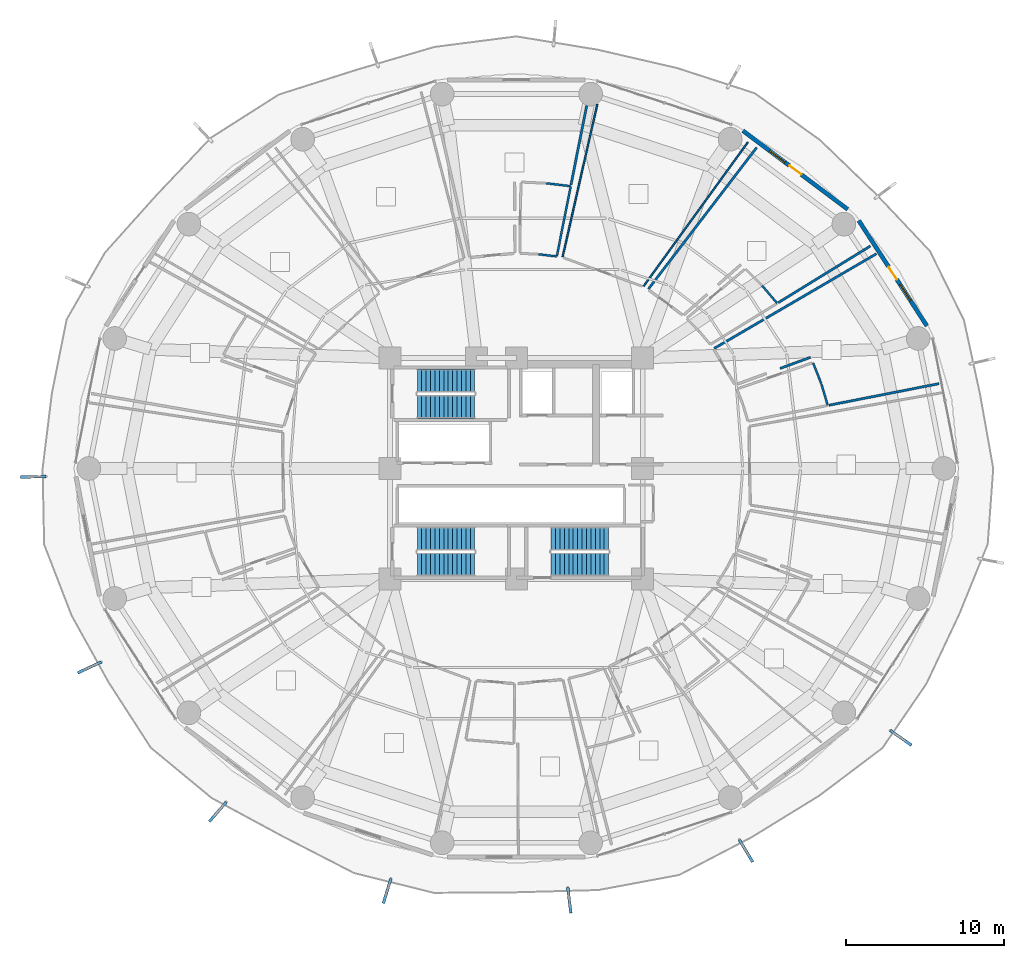
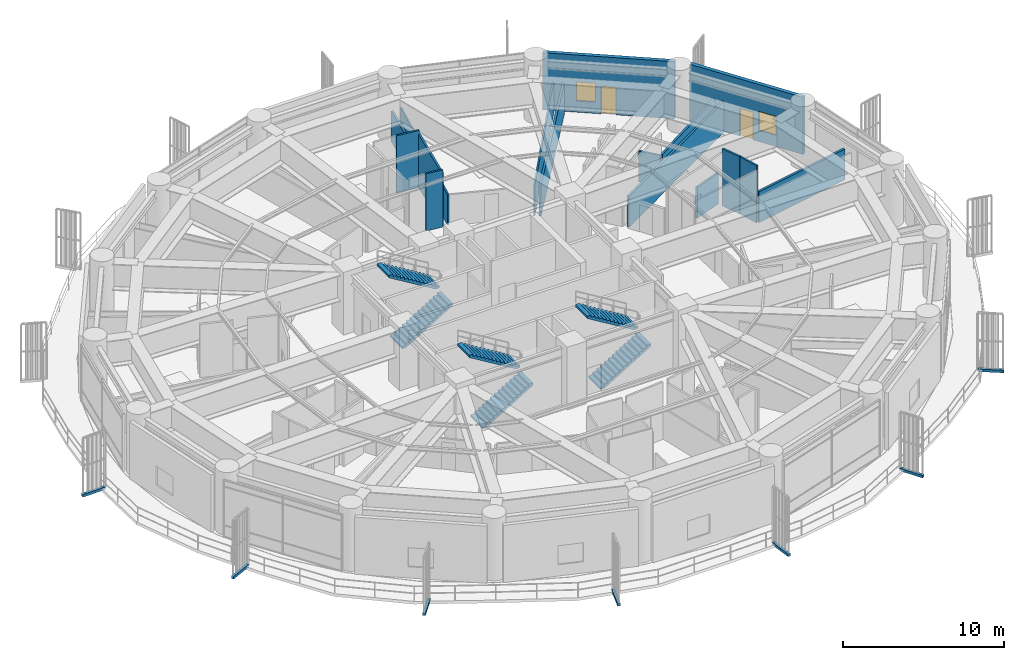
# One storey, part 25 of 31: 16 walls, 7 discrete accessories, 6 stair flights, 2 doors, 2 windows, 4 openings, 3 elements without a shape of their own.
"""IFC4 building model written with IfcOpenShell, lengths in metres."""

from ifc_helpers import new_model, si_unit, direction, frame, frame_2d, origin, origin_2d, place, context, subcontext, project, spatial, polyline, rectangle, outline, extrude, source, transform, mapped, material, layer, layer_set, type_object, element, fill, aggregate, save


model = new_model("IFC4")

# Units and contexts
model_context = context("Model", 3, precision=1e-05, world=origin(), true_north=direction((0.0, 1.0)))
body_context = subcontext(model_context, "Body", "Model", "MODEL_VIEW")
ifc_project = project(units=[si_unit("LENGTHUNIT", "METRE"), si_unit("AREAUNIT", "SQUARE_METRE"), si_unit("VOLUMEUNIT", "CUBIC_METRE"), si_unit("PLANEANGLEUNIT", "RADIAN"), si_unit("MASSUNIT", "GRAM", prefix="KILO")], contexts=[model_context])

# Site, building, storey
site_placement = place(None, origin())
site = spatial("IfcSite", under=ifc_project, at=site_placement, CompositionType="ELEMENT")
building_placement = place(site_placement, origin())
building = spatial("IfcBuilding", under=site, at=building_placement, Name="Kelanora Arch Commons", CompositionType="ELEMENT")
storey_placement = place(building_placement, frame((0.0, 0.0, 67.5)))
storey = spatial("IfcBuildingStorey", under=building, at=storey_placement, Name="L17", CompositionType="ELEMENT", Elevation=67.5)

# Walls
ifc_material_1 = material(Name="Autoclaved aerated concrete blockwork with fire plaster", Category="masonry")
ifc_layer_1 = layer(ifc_material_1, 0.14990234375)
ifc_layer_set_1 = layer_set([ifc_layer_1], Name="Autoclaved aerated concrete blockwork with fire plaster")
wall_type_1 = type_object("IfcWallType", Name="W-COMP-150", PredefinedType="PARTITIONING", material=ifc_layer_set_1)
wall_1_placement = place(storey_placement, frame((86.5244140625, 65.602294921875, 0.0), z_axis=(0.0, 0.0, 1.0), x_axis=(0.863734985538, 0.503946301462, 0.0)))
element("IfcWall", 1, at=wall_1_placement, inside=storey, type_object=wall_type_1, Name="Co-Living Studio L17-01 Enclosure Partition 2", PredefinedType="PARTITIONING", context=body_context, shape_type="SweptSolid", body=[
    extrude(rectangle(XDim=11.897216796875, YDim=0.14990234375, at=frame_2d((5.94873046875, 0.0))), origin(), (0.0, 0.0, 1.0), 2.344970703125),
])
wall_2_placement = place(storey_placement, frame((100.768798828125, 63.374267578125, 0.0), z_axis=(0.0, 0.0, 1.0), x_axis=(-0.98124289703, -0.192775457535, 0.0)))
element("IfcWall", 2, at=wall_2_placement, inside=storey, type_object=wall_type_1, Name="Co-Living Studio L17-01 Enclosure Partition 5", PredefinedType="PARTITIONING", context=body_context, shape_type="SweptSolid", body=[
    extrude(rectangle(XDim=7.099609375, YDim=0.14990234375, at=frame_2d((3.5498046875, 0.0))), origin(), (0.0, 0.0, 1.0), 2.344970703125),
])
wall_3_placement = place(storey_placement, frame((92.633544921875, 65.044189453125, 0.0), z_axis=(0.0, 0.0, 1.0), x_axis=(-0.938773982481, -0.344533612028, 0.0)))
element("IfcWall", 3, at=wall_3_placement, inside=storey, type_object=wall_type_1, Name="Co-Living Studio L17-01 Enclosure Partition 7", PredefinedType="PARTITIONING", context=body_context, shape_type="SweptSolid", body=[
    extrude(rectangle(XDim=2.05712890625, YDim=0.14990234375, at=frame_2d((1.028564453125, 0.0))), origin(), (0.0, 0.0, 1.0), 2.344970703125),
])
wall_4_placement = place(storey_placement, frame((82.36328125, 69.371826171875, 0.0), z_axis=(0.0, 0.0, 1.0), x_axis=(0.607772837178, 0.79411093582, 0.0)))
element("IfcWall", 4, at=wall_4_placement, inside=storey, type_object=wall_type_1, Name="Co-Living Studio L17-02 Enclosure Partition 2", PredefinedType="PARTITIONING", context=body_context, shape_type="SweptSolid", body=[
    extrude(rectangle(XDim=11.2861328125, YDim=0.14990234375, at=frame_2d((5.64306640625, 0.0))), origin(), (0.0, 0.0, 1.0), 2.344970703125),
])
wall_5_placement = place(storey_placement, frame((96.4208984375, 72.090087890625, 0.0), z_axis=(0.0, 0.0, 1.0), x_axis=(-0.85189211047, -0.523717320813, 0.0)))
element("IfcWall", 5, at=wall_5_placement, inside=storey, type_object=wall_type_1, Name="Co-Living Studio L17-02 Enclosure Partition 5", PredefinedType="PARTITIONING", context=body_context, shape_type="SweptSolid", body=[
    extrude(rectangle(XDim=6.845703125, YDim=0.14990234375, at=frame_2d((3.4228515625, 0.0))), origin(), (0.0, 0.0, 1.0), 2.344970703125),
])
wall_6_placement = place(storey_placement, frame((78.45068359375, 80.981201171875, 0.0), z_axis=(0.0, 0.0, 1.0), x_axis=(-0.194400268676, -0.980922288226, 0.0)))
element("IfcWall", 6, at=wall_6_placement, inside=storey, type_object=wall_type_1, Name="Co-Living Studio L17-04 Enclosure Partition 5", PredefinedType="PARTITIONING", context=body_context, shape_type="SweptSolid", body=[
    extrude(rectangle(XDim=5.11767578125, YDim=0.14990234375, at=frame_2d((2.558837890625, 0.0))), origin(), (0.0, 0.0, 1.0), 2.344970703125),
])

# Wall, openings, door, window
ifc_material_2 = material(Name="Precast concrete C40/50 with terracotta rainscreen", Category="masonry")
ifc_layer_2 = layer(ifc_material_2, 0.260009765625)
ifc_layer_set_2 = layer_set([ifc_layer_2], Name="Precast concrete C40/50 with terracotta rainscreen")
wall_type_2 = type_object("IfcWallType", Name="W-EXT-TC", PredefinedType="SOLIDWALL", material=ifc_layer_set_2)
wall_7_placement = place(storey_placement, frame((99.999267578125, 67.033203125, 0.0), z_axis=(0.0, 0.0, 1.0), x_axis=(-0.543005114258, 0.839729388488, 0.0)))
wall_7 = element("IfcWall", 7, at=wall_7_placement, inside=storey, type_object=wall_type_2, Name="Terracotta Exterior Wall L17-B01", PredefinedType="SOLIDWALL", context=body_context, shape_type="SweptSolid", body=[
    extrude(rectangle(XDim=7.9375, YDim=0.260009765625, at=frame_2d((3.96875, 0.0))), origin(), (0.0, 0.0, 1.0), 4.344970703125),
])
opening_1_placement = place(wall_7_placement, frame((3.493896484375, 0.0, 0.0)))
opening_1 = element("IfcOpeningElement", 8, at=opening_1_placement, cuts=wall_7, Name="Opening DB-01", PredefinedType="OPENING", context=body_context, shape_type="SweptSolid", body=[
    extrude(rectangle(XDim=0.949951171875, YDim=2.10009765625, at=frame_2d((0.47509765625, 1.050048828125))), frame((0.0, 0.14013671875, 0.0), z_axis=(0.0, -1.0, 0.0), x_axis=(1.0, 0.0, 0.0)), (0.0, 0.0, 1.0), 0.280029296875),
])
opening_2_placement = place(wall_7_placement, frame((1.9140625, 0.0, 0.85009765625)))
opening_2 = element("IfcOpeningElement", 9, at=opening_2_placement, cuts=wall_7, Name="Opening WN-02", PredefinedType="OPENING", context=body_context, shape_type="SweptSolid", body=[
    extrude(rectangle(XDim=1.199951171875, YDim=1.449951171875, at=frame_2d((0.60009765625, 0.72509765625))), frame((0.0, 0.14013671875, 0.0), z_axis=(0.0, -1.0, 0.0), x_axis=(1.0, 0.0, 0.0)), (0.0, 0.0, 1.0), 0.280029296875),
])
ifc_material_3 = material(Name="Terracotta-aluminium thermally broken glazed balcony door", Category="masonry")
door_type = type_object("IfcDoorType", Name="D-BAL-10", OperationType="NOTDEFINED", PredefinedType="DOOR", material=ifc_material_3)
door_1_placement = place(opening_1_placement, frame((0.949951171875, 0.0, 0.0), z_axis=(0.0, 0.0, 1.0), x_axis=(-1.0, 0.0, 0.0)))
door_1 = element("IfcDoor", 10, at=door_1_placement, inside=storey, type_object=door_type, Name="Wave Balcony Door L17-B01", OperationType="SINGLE_SWING_LEFT", OverallHeight=2.10009765625, OverallWidth=0.949951171875, PredefinedType="DOOR", context=body_context, shape_type="SweptSolid", body=[
    extrude(rectangle(XDim=0.949951171875, YDim=2.10009765625, at=frame_2d((0.47509765625, 1.050048828125))), frame((0.0, 0.02490234375, 0.0), z_axis=(0.0, -1.0, 0.0), x_axis=(1.0, 0.0, 0.0)), (0.0, 0.0, 1.0), 0.050048828125),
])
fill(opening_1, door_1)
ifc_material_4 = material(Name="Terracotta-anodised aluminium frame with operable awning sash", Category="masonry")
window_type = type_object("IfcWindowType", Name="WIN-CL-12", PartitioningType="SINGLE_PANEL", PredefinedType="WINDOW", material=ifc_material_4)
window_1_placement = place(opening_2_placement, origin())
window_1 = element("IfcWindow", 11, at=window_1_placement, inside=storey, type_object=window_type, Name="Co-Living Operable Window L17-B01", OverallHeight=1.449951171875, OverallWidth=1.199951171875, PartitioningType="SINGLE_PANEL", PredefinedType="WINDOW", context=body_context, shape_type="SweptSolid", body=[
    extrude(rectangle(XDim=1.199951171875, YDim=1.449951171875, at=frame_2d((0.60009765625, 0.72509765625))), frame((0.0, 0.030029296875, 0.0), z_axis=(0.0, -1.0, 0.0), x_axis=(1.0, 0.0, 0.0)), (0.0, 0.0, 1.0), 0.06005859375),
])
fill(opening_2, window_1)

wall_8_placement = place(storey_placement, frame((94.98388671875, 74.418212890625, 0.0), z_axis=(0.0, 0.0, 1.0), x_axis=(-0.80030733173, 0.599590005569, 0.0)))
wall_8 = element("IfcWall", 12, at=wall_8_placement, inside=storey, type_object=wall_type_2, Name="Terracotta Exterior Wall L17-B02", PredefinedType="SOLIDWALL", context=body_context, shape_type="SweptSolid", body=[
    extrude(rectangle(XDim=8.29052734375, YDim=0.260009765625, at=frame_2d((4.145263671875, 0.0))), origin(), (0.0, 0.0, 1.0), 4.344970703125),
])
opening_3_placement = place(wall_8_placement, frame((3.669921875, 0.0, 0.0)))
opening_3 = element("IfcOpeningElement", 13, at=opening_3_placement, cuts=wall_8, Name="Opening DB-01", PredefinedType="OPENING", context=body_context, shape_type="SweptSolid", body=[
    extrude(rectangle(XDim=0.949951171875, YDim=2.10009765625, at=frame_2d((0.47509765625, 1.050048828125))), frame((0.0, 0.14013671875, 0.0), z_axis=(0.0, -1.0, 0.0), x_axis=(1.0, 0.0, 0.0)), (0.0, 0.0, 1.0), 0.280029296875),
])
opening_4_placement = place(wall_8_placement, frame((4.969970703125, 0.0, 0.85009765625)))
opening_4 = element("IfcOpeningElement", 14, at=opening_4_placement, cuts=wall_8, Name="Opening WN-02", PredefinedType="OPENING", context=body_context, shape_type="SweptSolid", body=[
    extrude(rectangle(XDim=1.199951171875, YDim=1.449951171875, at=frame_2d((0.60009765625, 0.72509765625))), frame((0.0, 0.14013671875, 0.0), z_axis=(0.0, -1.0, 0.0), x_axis=(1.0, 0.0, 0.0)), (0.0, 0.0, 1.0), 0.280029296875),
])
door_2_placement = place(opening_3_placement, frame((0.949951171875, 0.0, 0.0), z_axis=(0.0, 0.0, 1.0), x_axis=(-1.0, 0.0, 0.0)))
door_2 = element("IfcDoor", 15, at=door_2_placement, inside=storey, type_object=door_type, Name="Wave Balcony Door L17-B02", OperationType="SINGLE_SWING_RIGHT", OverallHeight=2.10009765625, OverallWidth=0.949951171875, PredefinedType="DOOR", context=body_context, shape_type="SweptSolid", body=[
    extrude(rectangle(XDim=0.949951171875, YDim=2.10009765625, at=frame_2d((0.47509765625, 1.050048828125))), frame((0.0, 0.02490234375, 0.0), z_axis=(0.0, -1.0, 0.0), x_axis=(1.0, 0.0, 0.0)), (0.0, 0.0, 1.0), 0.050048828125),
])
fill(opening_3, door_2)
window_2_placement = place(opening_4_placement, origin())
window_2 = element("IfcWindow", 16, at=window_2_placement, inside=storey, type_object=window_type, Name="Co-Living Operable Window L17-B02", OverallHeight=1.449951171875, OverallWidth=1.199951171875, PartitioningType="SINGLE_PANEL", PredefinedType="WINDOW", context=body_context, shape_type="SweptSolid", body=[
    extrude(rectangle(XDim=1.199951171875, YDim=1.449951171875, at=frame_2d((0.60009765625, 0.72509765625))), frame((0.0, 0.030029296875, 0.0), z_axis=(0.0, -1.0, 0.0), x_axis=(1.0, 0.0, 0.0)), (0.0, 0.0, 1.0), 0.06005859375),
])
fill(opening_4, window_2)

# Walls
ifc_material_5 = material(Name="Lightweight fire-rated acoustic stud partition")
ifc_layer_3 = layer(ifc_material_5, 0.10009765625)
ifc_layer_set_3 = layer_set([ifc_layer_3], Name="Lightweight fire-rated acoustic stud partition")
wall_type_3 = type_object("IfcWallType", Name="W-PART-100", PredefinedType="PARTITIONING", material=ifc_layer_set_3)
wall_9_placement = place(storey_placement, frame((76.927978515625, 71.408935546875, 0.0), z_axis=(0.0, 0.0, 1.0), x_axis=(0.221583796209, 0.975141333991, 0.0)))
element("IfcWall", 17, at=wall_9_placement, inside=storey, type_object=wall_type_3, Name="Communal Dining and Social Hall L17-03 Enclosure Partition 2", PredefinedType="PARTITIONING", context=body_context, shape_type="SweptSolid", body=[
    extrude(rectangle(XDim=9.899658203125, YDim=0.10009765625, at=frame_2d((4.94970703125, 0.0))), origin(), (0.0, 0.0, 1.0), 2.344970703125),
])
wall_10_placement = place(storey_placement, frame((88.660400390625, 78.65966796875, 0.0), z_axis=(0.0, 0.0, 1.0), x_axis=(-0.587198342421, -0.809443084261, 0.0)))
element("IfcWall", 18, at=wall_10_placement, inside=storey, type_object=wall_type_3, Name="Communal Dining and Social Hall L17-03 Enclosure Partition 4", PredefinedType="PARTITIONING", context=body_context, shape_type="SweptSolid", body=[
    extrude(rectangle(XDim=11.25, YDim=0.10009765625, at=frame_2d((5.625, 0.0))), origin(), (0.0, 0.0, 1.0), 2.344970703125),
])
ifc_material_6 = material(Name="Moisture-resistant fire-rated cement-board plumbing wall")
ifc_layer_4 = layer(ifc_material_6, 0.1298828125)
ifc_layer_set_4 = layer_set([ifc_layer_4], Name="Moisture-resistant fire-rated cement-board plumbing wall")
wall_type_4 = type_object("IfcWallType", Name="W-WET-120", PredefinedType="PLUMBINGWALL", material=ifc_layer_set_4)
wall_11_placement = place(storey_placement, frame((92.79541015625, 64.686279296875, 0.0), z_axis=(0.0, 0.0, 1.0), x_axis=(0.366277671592, -0.930505597669, 0.0)))
element("IfcWall", 19, at=wall_11_placement, inside=storey, type_object=wall_type_4, Name="En-Suite Shower WC L17-01 Enclosure Partition 4", PredefinedType="PLUMBINGWALL", context=body_context, shape_type="SweptSolid", body=[
    extrude(rectangle(XDim=1.401123046875, YDim=0.1298828125, at=frame_2d((0.70068359375, 0.0))), origin(), (0.0, 0.0, 1.0), 4.35009765625),
])
wall_12_placement = place(storey_placement, frame((93.32177734375, 63.3447265625, 0.0), z_axis=(0.0, 0.0, 1.0), x_axis=(0.284613387728, -0.958642383543, 0.0)))
element("IfcWall", 20, at=wall_12_placement, inside=storey, type_object=wall_type_4, Name="En-Suite Shower WC L17-01 Enclosure Partition 5", PredefinedType="PLUMBINGWALL", context=body_context, shape_type="SweptSolid", body=[
    extrude(rectangle(XDim=1.39306640625, YDim=0.1298828125, at=frame_2d((0.696533203125, 0.0))), origin(), (0.0, 0.0, 1.0), 4.35009765625),
])
wall_13_placement = place(storey_placement, frame((89.571044921875, 69.57470703125, 0.0), z_axis=(0.0, 0.0, 1.0), x_axis=(0.649398300051, -0.76044845183, 0.0)))
element("IfcWall", 21, at=wall_13_placement, inside=storey, type_object=wall_type_4, Name="En-Suite Shower WC L17-02 Enclosure Partition 5", PredefinedType="PLUMBINGWALL", context=body_context, shape_type="SweptSolid", body=[
    extrude(rectangle(XDim=1.4443359375, YDim=0.1298828125, at=frame_2d((0.72216796875, 0.0))), origin(), (0.0, 0.0, 1.0), 2.344970703125),
])
wall_14_placement = place(storey_placement, frame((76.5380859375, 71.433349609375, 0.0), z_axis=(0.0, 0.0, 1.0), x_axis=(-0.992788120217, 0.119882227025, 0.0)))
element("IfcWall", 22, at=wall_14_placement, inside=storey, type_object=wall_type_4, Name="En-Suite Shower WC L17-04 Enclosure Partition 1", PredefinedType="PLUMBINGWALL", context=body_context, shape_type="SweptSolid", body=[
    extrude(rectangle(XDim=1.136474609375, YDim=0.1298828125, at=frame_2d((0.568359375, 0.0))), origin(), (0.0, 0.0, 1.0), 4.35009765625),
])
wall_15_placement = place(storey_placement, frame((75.889892578125, 76.066650390625, 0.0), z_axis=(0.0, 0.0, 1.0), x_axis=(0.993000658452, -0.118108815562, 0.0)))
element("IfcWall", 23, at=wall_15_placement, inside=storey, type_object=wall_type_4, Name="En-Suite Shower WC L17-04 Enclosure Partition 5", PredefinedType="PLUMBINGWALL", context=body_context, shape_type="SweptSolid", body=[
    extrude(rectangle(XDim=1.5419921875, YDim=0.1298828125, at=frame_2d((0.77099609375, 0.0))), origin(), (0.0, 0.0, 1.0), 4.35009765625),
])
wall_16_placement = place(storey_placement, frame((77.43701171875, 75.8623046875, 0.0), z_axis=(0.0, 0.0, 1.0), x_axis=(-0.194550031261, -0.980892596229, 0.0)))
element("IfcWall", 24, at=wall_16_placement, inside=storey, type_object=wall_type_4, Name="En-Suite Shower WC L17-04 Enclosure Partition 6", PredefinedType="PLUMBINGWALL", context=body_context, shape_type="SweptSolid", body=[
    extrude(rectangle(XDim=4.49755859375, YDim=0.1298828125, at=frame_2d((2.248779296875, 0.0))), origin(), (0.0, 0.0, 1.0), 4.044921875),
])

# Stair, stair flights
ifc_material_7 = material(Name="Concrete C40/50", Category="concrete")
stair_type = type_object("IfcStairType", Name="STR-DL-476", PredefinedType="HALF_TURN_STAIR", material=ifc_material_7)
stair_1_placement = place(storey_placement, origin())
stair_1 = element("IfcStair", 25, at=stair_1_placement, inside=storey, type_object=stair_type, Name="L17 ST-T1", PredefinedType="HALF_TURN_STAIR")
stair_flight_type = type_object("IfcStairFlightType", Name="FLT-DL-476", PredefinedType="STRAIGHT", material=ifc_material_7)
stair_flight_1_placement = place(storey_placement, frame((67.719970703125, 61.919921875, 0.0), z_axis=(0.0, 0.0, 1.0), x_axis=(1.0, 0.0, 0.0)))
stair_flight_1 = element("IfcStairFlight", 26, at=stair_flight_1_placement, type_object=stair_flight_type, Name="ST-T1 flight 1", NumberOfRisers=14, NumberOfTreads=13, PredefinedType="STRAIGHT", RiserHeight=0.17, TreadLength=0.28, context=body_context, shape_type="SweptSolid", body=[
    extrude(outline(polyline([(0.0, 0.0), (0.0, 0.169921875), (0.280029296875, 0.169921875), (0.280029296875, 0.340087890625), (0.56005859375, 0.340087890625), (0.56005859375, 0.510009765625), (0.840087890625, 0.510009765625), (0.840087890625, 0.679931640625), (1.1201171875, 0.679931640625), (1.1201171875, 0.85009765625), (1.39990234375, 0.85009765625), (1.39990234375, 1.02001953125), (1.679931640625, 1.02001953125), (1.679931640625, 1.18994140625), (1.9599609375, 1.18994140625), (1.9599609375, 1.360107421875), (2.239990234375, 1.360107421875), (2.239990234375, 1.530029296875), (2.52001953125, 1.530029296875), (2.52001953125, 1.699951171875), (2.800048828125, 1.699951171875), (2.800048828125, 1.8701171875), (3.080078125, 1.8701171875), (3.080078125, 2.0400390625), (3.360107421875, 2.0400390625), (3.360107421875, 2.2099609375), (3.639892578125, 2.2099609375), (3.639892578125, 2.3798828125), (3.639892578125, 2.03466796875), (0.288818359375, 0.0), (0.0, 0.0)])), frame((0.0, 0.739990234375, 0.0), z_axis=(0.0, -1.0, 0.0), x_axis=(1.0, 0.0, 0.0)), (0.0, 0.0, 1.0), 1.47998046875),
])
stair_flight_2_placement = place(storey_placement, frame((71.360107421875, 63.550048828125, 2.3798828125), z_axis=(0.0, 0.0, 1.0), x_axis=(-1.0, 0.0, 0.0)))
stair_flight_2 = element("IfcStairFlight", 27, at=stair_flight_2_placement, type_object=stair_flight_type, Name="ST-T1 flight 2", NumberOfRisers=14, NumberOfTreads=13, PredefinedType="STRAIGHT", RiserHeight=0.17, TreadLength=0.28, context=body_context, shape_type="SweptSolid", body=[
    extrude(outline(polyline([(0.0, 0.0), (0.0, 0.169921875), (0.280029296875, 0.169921875), (0.280029296875, 0.340087890625), (0.56005859375, 0.340087890625), (0.56005859375, 0.510009765625), (0.840087890625, 0.510009765625), (0.840087890625, 0.679931640625), (1.1201171875, 0.679931640625), (1.1201171875, 0.85009765625), (1.39990234375, 0.85009765625), (1.39990234375, 1.02001953125), (1.679931640625, 1.02001953125), (1.679931640625, 1.18994140625), (1.9599609375, 1.18994140625), (1.9599609375, 1.360107421875), (2.239990234375, 1.360107421875), (2.239990234375, 1.530029296875), (2.52001953125, 1.530029296875), (2.52001953125, 1.699951171875), (2.800048828125, 1.699951171875), (2.800048828125, 1.8701171875), (3.080078125, 1.8701171875), (3.080078125, 2.0400390625), (3.360107421875, 2.0400390625), (3.360107421875, 2.2099609375), (3.639892578125, 2.2099609375), (3.639892578125, 2.3798828125), (3.639892578125, 2.03466796875), (0.288818359375, 0.0), (0.0, 0.0)])), frame((0.0, 0.739990234375, 0.0), z_axis=(0.0, -1.0, 0.0), x_axis=(1.0, 0.0, 0.0)), (0.0, 0.0, 1.0), 1.47998046875),
])
aggregate(stair_1, [stair_flight_1, stair_flight_2])

stair_2_placement = place(storey_placement, origin())
stair_2 = element("IfcStair", 28, at=stair_2_placement, inside=storey, type_object=stair_type, Name="L17 ST-T2", PredefinedType="HALF_TURN_STAIR")
stair_flight_3_placement = place(storey_placement, frame((76.199951171875, 51.919921875, 0.0), z_axis=(0.0, 0.0, 1.0), x_axis=(1.0, 0.0, 0.0)))
stair_flight_3 = element("IfcStairFlight", 29, at=stair_flight_3_placement, type_object=stair_flight_type, Name="ST-T2 flight 1", NumberOfRisers=14, NumberOfTreads=13, PredefinedType="STRAIGHT", RiserHeight=0.17, TreadLength=0.28, context=body_context, shape_type="SweptSolid", body=[
    extrude(outline(polyline([(0.0, 0.0), (0.0, 0.169921875), (0.280029296875, 0.169921875), (0.280029296875, 0.340087890625), (0.56005859375, 0.340087890625), (0.56005859375, 0.510009765625), (0.840087890625, 0.510009765625), (0.840087890625, 0.679931640625), (1.1201171875, 0.679931640625), (1.1201171875, 0.85009765625), (1.39990234375, 0.85009765625), (1.39990234375, 1.02001953125), (1.679931640625, 1.02001953125), (1.679931640625, 1.18994140625), (1.9599609375, 1.18994140625), (1.9599609375, 1.360107421875), (2.239990234375, 1.360107421875), (2.239990234375, 1.530029296875), (2.52001953125, 1.530029296875), (2.52001953125, 1.699951171875), (2.800048828125, 1.699951171875), (2.800048828125, 1.8701171875), (3.080078125, 1.8701171875), (3.080078125, 2.0400390625), (3.360107421875, 2.0400390625), (3.360107421875, 2.2099609375), (3.639892578125, 2.2099609375), (3.639892578125, 2.3798828125), (3.639892578125, 2.03466796875), (0.288818359375, 0.0), (0.0, 0.0)])), frame((0.0, 0.739990234375, 0.0), z_axis=(0.0, -1.0, 0.0), x_axis=(1.0, 0.0, 0.0)), (0.0, 0.0, 1.0), 1.47998046875),
])
stair_flight_4_placement = place(storey_placement, frame((79.840087890625, 53.550048828125, 2.3798828125), z_axis=(0.0, 0.0, 1.0), x_axis=(-1.0, 0.0, 0.0)))
stair_flight_4 = element("IfcStairFlight", 30, at=stair_flight_4_placement, type_object=stair_flight_type, Name="ST-T2 flight 2", NumberOfRisers=14, NumberOfTreads=13, PredefinedType="STRAIGHT", RiserHeight=0.17, TreadLength=0.28, context=body_context, shape_type="SweptSolid", body=[
    extrude(outline(polyline([(0.0, 0.0), (0.0, 0.169921875), (0.280029296875, 0.169921875), (0.280029296875, 0.340087890625), (0.56005859375, 0.340087890625), (0.56005859375, 0.510009765625), (0.840087890625, 0.510009765625), (0.840087890625, 0.679931640625), (1.1201171875, 0.679931640625), (1.1201171875, 0.85009765625), (1.39990234375, 0.85009765625), (1.39990234375, 1.02001953125), (1.679931640625, 1.02001953125), (1.679931640625, 1.18994140625), (1.9599609375, 1.18994140625), (1.9599609375, 1.360107421875), (2.239990234375, 1.360107421875), (2.239990234375, 1.530029296875), (2.52001953125, 1.530029296875), (2.52001953125, 1.699951171875), (2.800048828125, 1.699951171875), (2.800048828125, 1.8701171875), (3.080078125, 1.8701171875), (3.080078125, 2.0400390625), (3.360107421875, 2.0400390625), (3.360107421875, 2.2099609375), (3.639892578125, 2.2099609375), (3.639892578125, 2.3798828125), (3.639892578125, 2.03466796875), (0.288818359375, 0.0), (0.0, 0.0)])), frame((0.0, 0.739990234375, 0.0), z_axis=(0.0, -1.0, 0.0), x_axis=(1.0, 0.0, 0.0)), (0.0, 0.0, 1.0), 1.47998046875),
])
aggregate(stair_2, [stair_flight_3, stair_flight_4])

stair_3_placement = place(storey_placement, origin())
stair_3 = element("IfcStair", 31, at=stair_3_placement, inside=storey, type_object=stair_type, Name="L17 ST-T3", PredefinedType="HALF_TURN_STAIR")
stair_flight_5_placement = place(storey_placement, frame((67.719970703125, 51.919921875, 0.0), z_axis=(0.0, 0.0, 1.0), x_axis=(1.0, 0.0, 0.0)))
stair_flight_5 = element("IfcStairFlight", 32, at=stair_flight_5_placement, type_object=stair_flight_type, Name="ST-T3 flight 1", NumberOfRisers=14, NumberOfTreads=13, PredefinedType="STRAIGHT", RiserHeight=0.17, TreadLength=0.28, context=body_context, shape_type="SweptSolid", body=[
    extrude(outline(polyline([(0.0, 0.0), (0.0, 0.169921875), (0.280029296875, 0.169921875), (0.280029296875, 0.340087890625), (0.56005859375, 0.340087890625), (0.56005859375, 0.510009765625), (0.840087890625, 0.510009765625), (0.840087890625, 0.679931640625), (1.1201171875, 0.679931640625), (1.1201171875, 0.85009765625), (1.39990234375, 0.85009765625), (1.39990234375, 1.02001953125), (1.679931640625, 1.02001953125), (1.679931640625, 1.18994140625), (1.9599609375, 1.18994140625), (1.9599609375, 1.360107421875), (2.239990234375, 1.360107421875), (2.239990234375, 1.530029296875), (2.52001953125, 1.530029296875), (2.52001953125, 1.699951171875), (2.800048828125, 1.699951171875), (2.800048828125, 1.8701171875), (3.080078125, 1.8701171875), (3.080078125, 2.0400390625), (3.360107421875, 2.0400390625), (3.360107421875, 2.2099609375), (3.639892578125, 2.2099609375), (3.639892578125, 2.3798828125), (3.639892578125, 2.03466796875), (0.288818359375, 0.0), (0.0, 0.0)])), frame((0.0, 0.739990234375, 0.0), z_axis=(0.0, -1.0, 0.0), x_axis=(1.0, 0.0, 0.0)), (0.0, 0.0, 1.0), 1.47998046875),
])
stair_flight_6_placement = place(storey_placement, frame((71.360107421875, 53.550048828125, 2.3798828125), z_axis=(0.0, 0.0, 1.0), x_axis=(-1.0, 0.0, 0.0)))
stair_flight_6 = element("IfcStairFlight", 33, at=stair_flight_6_placement, type_object=stair_flight_type, Name="ST-T3 flight 2", NumberOfRisers=14, NumberOfTreads=13, PredefinedType="STRAIGHT", RiserHeight=0.17, TreadLength=0.28, context=body_context, shape_type="SweptSolid", body=[
    extrude(outline(polyline([(0.0, 0.0), (0.0, 0.169921875), (0.280029296875, 0.169921875), (0.280029296875, 0.340087890625), (0.56005859375, 0.340087890625), (0.56005859375, 0.510009765625), (0.840087890625, 0.510009765625), (0.840087890625, 0.679931640625), (1.1201171875, 0.679931640625), (1.1201171875, 0.85009765625), (1.39990234375, 0.85009765625), (1.39990234375, 1.02001953125), (1.679931640625, 1.02001953125), (1.679931640625, 1.18994140625), (1.9599609375, 1.18994140625), (1.9599609375, 1.360107421875), (2.239990234375, 1.360107421875), (2.239990234375, 1.530029296875), (2.52001953125, 1.530029296875), (2.52001953125, 1.699951171875), (2.800048828125, 1.699951171875), (2.800048828125, 1.8701171875), (3.080078125, 1.8701171875), (3.080078125, 2.0400390625), (3.360107421875, 2.0400390625), (3.360107421875, 2.2099609375), (3.639892578125, 2.2099609375), (3.639892578125, 2.3798828125), (3.639892578125, 2.03466796875), (0.288818359375, 0.0), (0.0, 0.0)])), frame((0.0, 0.739990234375, 0.0), z_axis=(0.0, -1.0, 0.0), x_axis=(1.0, 0.0, 0.0)), (0.0, 0.0, 1.0), 1.47998046875),
])
aggregate(stair_3, [stair_flight_5, stair_flight_6])

# Discrete accessories
ifc_material_8 = material(Name="Stainless steel 316 marine fin bracket", Category="steel")
discrete_accessory_type = type_object("IfcDiscreteAccessoryType", Name="ACC-FIN-BRK", PredefinedType="BRACKET", material=ifc_material_8)
shared_shape = source(origin(), body_context, "Body", "SweptSolid", [
    extrude(rectangle(XDim=1.639892578125, YDim=0.179931640625, at=origin_2d()), origin(), (0.0, 0.0, 1.0), 0.199951171875),
])
for number, where, z_axis, x_axis, name in (
    (34, (43.396240234375, 57.473876953125, -0.16015625), (0.0, 0.0, 1.0), (-0.999850725947, -0.017277899829, 0.0), "Sweeping Fin Cantilever Spine Bracket L17-06"),
    (35, (46.960693359375, 45.39990234375, -0.16015625), (0.0, 0.0, 1.0), (-0.906381534034, -0.422460074755, 0.0), "Sweeping Fin Cantilever Spine Bracket L17-07"),
    (36, (55.084716796875, 36.251708984375, -0.16015625), (0.0, 0.0, 1.0), (-0.656190740668, -0.754595064827, 0.0), "Sweeping Fin Cantilever Spine Bracket L17-08"),
    (37, (65.809814453125, 31.23583984375, -0.16015625), (0.0, 0.0, 1.0), (-0.292538606935, -0.956253712909, 0.0), "Sweeping Fin Cantilever Spine Bracket L17-09"),
    (38, (77.351318359375, 30.6474609375, -0.16015625), (0.0, 0.0, 1.0), (0.121696109567, -0.992567406737, 0.0), "Sweeping Fin Cantilever Spine Bracket L17-10"),
    (39, (88.54345703125, 33.781005859375, -0.16015625), (0.0, 0.0, 1.0), (0.51488846315, -0.857257178748, 0.0), "Sweeping Fin Cantilever Spine Bracket L17-11"),
    (40, (98.352783203125, 40.9384765625, -0.16015625), (0.0, 0.0, 1.0), (0.81905192384, -0.573719396617, 0.0), "Sweeping Fin Cantilever Spine Bracket L17-12"),
):
    element("IfcDiscreteAccessory", number, at=place(storey_placement, frame(where, z_axis=z_axis, x_axis=x_axis)), inside=storey, type_object=discrete_accessory_type, Name=name, PredefinedType="BRACKET", context=body_context, shape_type="MappedRepresentation", body=[
        mapped(shared_shape, transform((0.0, 0.0, 0.0), scale=1.0)),
    ])

save(model, "model.ifc")
